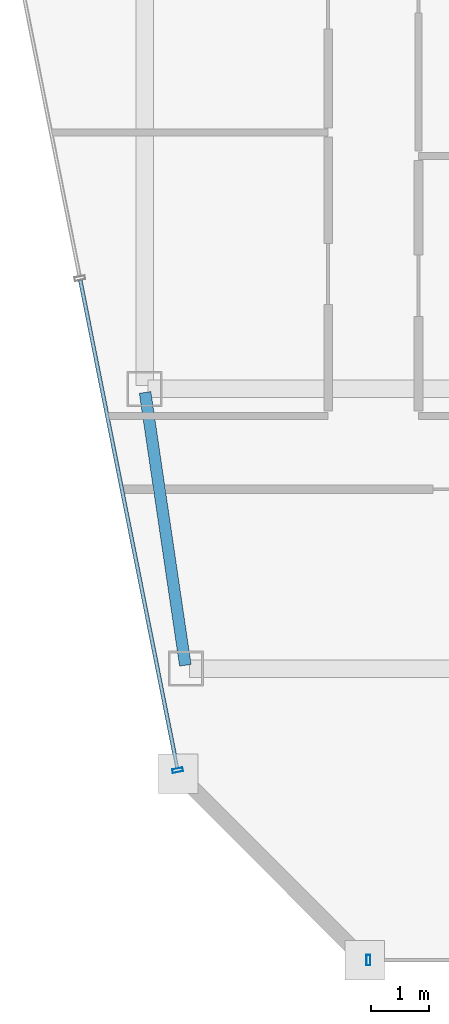
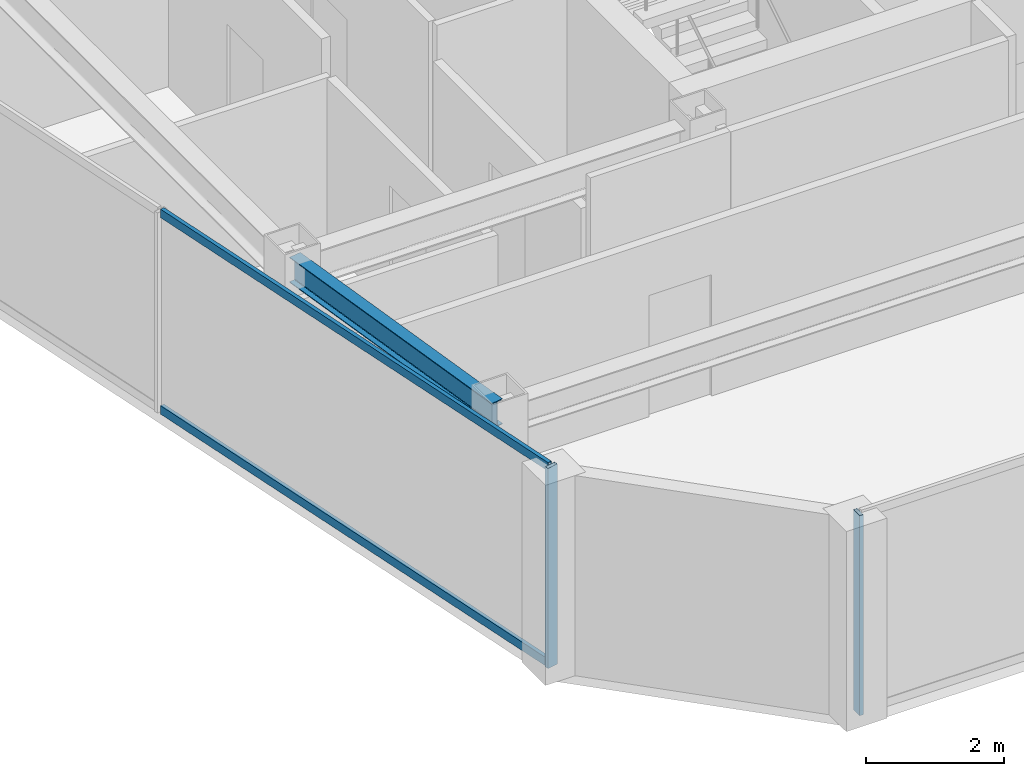
# One storey, part 3 of 24: 4 members, 1 beam, 2 elements without a shape of their own.
"""IFC4 building model written with IfcOpenShell, lengths in metres."""

from ifc_helpers import new_model, si_unit, direction, frame, origin, origin_2d, place, context, subcontext, project, spatial, hollow_rectangle, i_section, extrude, material, material_profile, profile_set, type_object, element, aggregate, save


model = new_model("IFC4")

# Units and contexts
model_context = context("Model", 3, precision=1e-05, world=origin(), true_north=direction((0.0, 1.0)))
body_context = subcontext(model_context, "Body", "Model", "MODEL_VIEW")
ifc_project = project(units=[si_unit("LENGTHUNIT", "METRE"), si_unit("AREAUNIT", "SQUARE_METRE"), si_unit("VOLUMEUNIT", "CUBIC_METRE"), si_unit("PLANEANGLEUNIT", "RADIAN"), si_unit("MASSUNIT", "GRAM", prefix="KILO")], contexts=[model_context])

# Site, building, storey
site_placement = place(None, origin())
site = spatial("IfcSite", under=ifc_project, at=site_placement, CompositionType="ELEMENT")
building_placement = place(site_placement, origin())
building = spatial("IfcBuilding", under=site, at=building_placement, Name="Saevonmaru Cultural Tower", CompositionType="ELEMENT")
storey_placement = place(building_placement, frame((0.0, 0.0, 299.0)))
storey = spatial("IfcBuildingStorey", under=building, at=storey_placement, Name="L71", CompositionType="ELEMENT", Elevation=299.0)

# Beam
ifc_material_1 = material(Name="Steel SM355", Category="steel")
ifc_material_profile_1 = material_profile(ifc_material_1, i_section(OverallWidth=0.199951171875, OverallDepth=0.449951171875, WebThickness=0.009033203125, FlangeThickness=0.013916015625, FilletRadius=0.01806640625, at=origin_2d()), Name="H-450x200x9x14")
ifc_profile_set_1 = profile_set([ifc_material_profile_1], Name="Steel SM355")
beam_type = type_object("IfcBeamType", Name="BM-SP-H450", PredefinedType="SPANDREL", material=ifc_profile_set_1)
beam_placement = place(storey_placement, frame((7.499267578125, 37.659423828125, 3.324951171875), z_axis=(-0.145912860028, 0.989297446312, 0.0), x_axis=(-0.989297446312, -0.145912860028, 0.0)))
element("IfcBeam", 1, at=beam_placement, inside=storey, type_object=beam_type, Name="L71 West Splayed Spandrel 1", PredefinedType="SPANDREL", context=body_context, shape_type="SweptSolid", body=[
    extrude(i_section(OverallWidth=0.199951171875, OverallDepth=0.449951171875, WebThickness=0.009033203125, FlangeThickness=0.013916015625, FilletRadius=0.01806640625, at=origin_2d()), origin(), (0.0, 0.0, 1.0), 4.731689453125),
])

# Curtain wall, member
ifc_material_2 = material(Name="Satin Bronze Anodised Aluminium", Category="aluminium")
curtain_wall_type = type_object("IfcCurtainWallType", Name="CW-TYP-B", PredefinedType="NOTDEFINED", material=ifc_material_2)
curtain_wall_1_placement = place(storey_placement, origin())
curtain_wall_1 = element("IfcCurtainWall", 2, at=curtain_wall_1_placement, inside=storey, type_object=curtain_wall_type, Name="L71 Unitised Curtain Wall E2", PredefinedType="NOTDEFINED")
ifc_material_profile_2 = material_profile(ifc_material_2, hollow_rectangle(XDim=0.06494140625, YDim=0.179931640625, WallThickness=0.00390625, at=origin_2d()), Name="ALU-MULL-180x65x4")
ifc_profile_set_2 = profile_set([ifc_material_profile_2], Name="Satin Bronze Anodised Aluminium")
member_type_1 = type_object("IfcMemberType", Name="ML-CW-180x65", PredefinedType="MULLION", material=ifc_profile_set_2)
member_1_placement = place(storey_placement, frame((10.639892578125, 32.60009765625, 0.0), z_axis=(0.0, 0.0, 1.0), x_axis=(1.0, 0.0, 0.0)))
member_1 = element("IfcMember", 3, at=member_1_placement, type_object=member_type_1, Name="CW-TW-L71-E2 mullion 1", PredefinedType="MULLION", context=body_context, shape_type="SweptSolid", body=[
    extrude(hollow_rectangle(XDim=0.06494140625, YDim=0.179931640625, WallThickness=0.00390625, at=origin_2d()), origin(), (0.0, 0.0, 1.0), 3.550048828125),
])
aggregate(curtain_wall_1, [member_1])

# Curtain wall, members
curtain_wall_2_placement = place(storey_placement, origin())
curtain_wall_2 = element("IfcCurtainWall", 4, at=curtain_wall_2_placement, inside=storey, type_object=curtain_wall_type, Name="L71 Unitised Curtain Wall E12", PredefinedType="NOTDEFINED")
member_2_placement = place(storey_placement, frame((7.368408203125, 35.85888671875, 0.0), z_axis=(0.0, 0.0, 1.0), x_axis=(0.195005484813, -0.980802151758, 0.0)))
member_2 = element("IfcMember", 5, at=member_2_placement, type_object=member_type_1, Name="CW-TW-L71-E12 mullion 3", PredefinedType="MULLION", context=body_context, shape_type="SweptSolid", body=[
    extrude(hollow_rectangle(XDim=0.06494140625, YDim=0.179931640625, WallThickness=0.00390625, at=origin_2d()), origin(), (0.0, 0.0, 1.0), 3.550048828125),
])
ifc_material_profile_3 = material_profile(ifc_material_2, hollow_rectangle(XDim=0.06494140625, YDim=0.14990234375, WallThickness=0.00390625, at=origin_2d()), Name="ALU-TRAN-150x65x4")
ifc_profile_set_3 = profile_set([ifc_material_profile_3], Name="Satin Bronze Anodised Aluminium")
member_type_2 = type_object("IfcMemberType", Name="TR-CW-150x65", PredefinedType="USERDEFINED", material=ifc_profile_set_3)
member_3_placement = place(storey_placement, frame((5.6962890625, 44.26806640625, 0.032470703125), z_axis=(0.195022161716, -0.980798835868, 0.0), x_axis=(0.980798835868, 0.195022161716, 0.0)))
member_3 = element("IfcMember", 6, at=member_3_placement, type_object=member_type_2, Name="CW-TW-L71-E12 transom 2.1", ObjectType="TRANSOM", PredefinedType="USERDEFINED", context=body_context, shape_type="SweptSolid", body=[
    extrude(hollow_rectangle(XDim=0.06494140625, YDim=0.14990234375, WallThickness=0.00390625, at=origin_2d()), origin(), (0.0, 0.0, 1.0), 8.54150390625),
])
member_4_placement = place(storey_placement, frame((5.6962890625, 44.26806640625, 3.517578125), z_axis=(0.195022161716, -0.980798835868, 0.0), x_axis=(0.980798835868, 0.195022161716, 0.0)))
member_4 = element("IfcMember", 7, at=member_4_placement, type_object=member_type_2, Name="CW-TW-L71-E12 transom 2.2", ObjectType="TRANSOM", PredefinedType="USERDEFINED", context=body_context, shape_type="SweptSolid", body=[
    extrude(hollow_rectangle(XDim=0.06494140625, YDim=0.14990234375, WallThickness=0.00390625, at=origin_2d()), origin(), (0.0, 0.0, 1.0), 8.54150390625),
])
aggregate(curtain_wall_2, [member_2, member_3, member_4])

save(model, "model.ifc")
